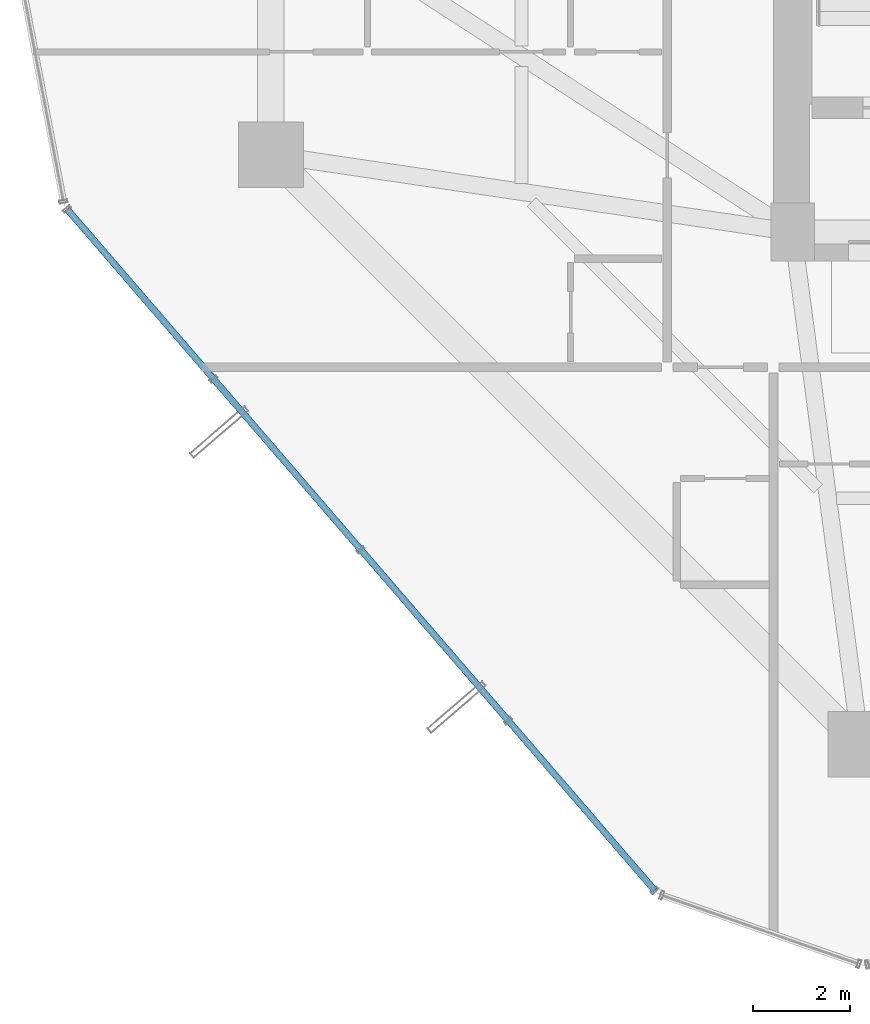
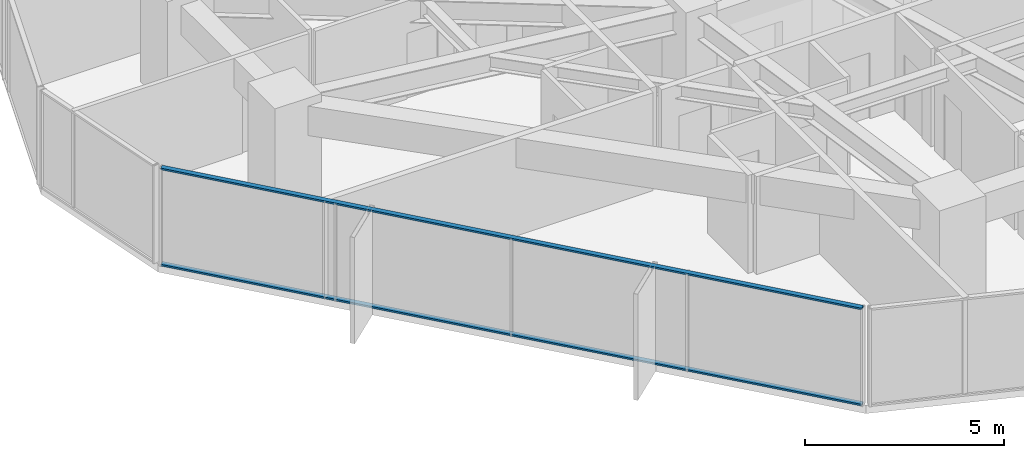
# One storey, part 3 of 38: 2 members, 1 element without a shape of its own.
"""IFC4 building model written with IfcOpenShell, lengths in metres."""

from ifc_helpers import new_model, si_unit, direction, frame, origin, origin_2d, place, context, subcontext, project, spatial, hollow_rectangle, extrude, source, transform, mapped, material, layer, layer_set, material_profile, profile_set, type_object, element, aggregate, save


model = new_model("IFC4")

# Units and contexts
model_context = context("Model", 3, precision=1e-05, world=origin(), true_north=direction((0.0, 1.0)))
body_context = subcontext(model_context, "Body", "Model", "MODEL_VIEW")
ifc_project = project(units=[si_unit("LENGTHUNIT", "METRE"), si_unit("AREAUNIT", "SQUARE_METRE"), si_unit("VOLUMEUNIT", "CUBIC_METRE"), si_unit("PLANEANGLEUNIT", "RADIAN"), si_unit("MASSUNIT", "GRAM", prefix="KILO")], contexts=[model_context])

# Site, building, storey
site_placement = place(None, origin())
site = spatial("IfcSite", under=ifc_project, at=site_placement, CompositionType="ELEMENT")
building_placement = place(site_placement, origin())
building = spatial("IfcBuilding", under=site, at=building_placement, Name="Veraguas Prism Commons", CompositionType="ELEMENT")
storey_placement = place(building_placement, frame((0.0, 0.0, 60.85009765625)))
storey = spatial("IfcBuildingStorey", under=building, at=storey_placement, Name="L16", CompositionType="ELEMENT", Elevation=60.85009765625)

# Curtain wall, members
ifc_material = material(Name="Anodised aluminium EN AW-6063 T6", Category="aluminium")
ifc_layer = layer(ifc_material, 0.169921875, Name="Unitised Flush Curtain Wall Zone 1", Category="aluminium")
ifc_layer_set = layer_set([ifc_layer], Name="Anodised aluminium EN AW-6063 T6")
curtain_wall_type = type_object("IfcCurtainWallType", Name="Unitised Flush Curtain Wall Zone 1", PredefinedType="NOTDEFINED", material=ifc_layer_set)
curtain_wall_placement = place(storey_placement, origin())
curtain_wall = element("IfcCurtainWall", 1, at=curtain_wall_placement, inside=storey, type_object=curtain_wall_type, Name="Tower Facade Curtain Wall L16-F4", PredefinedType="NOTDEFINED")
ifc_material_profile = material_profile(ifc_material, hollow_rectangle(XDim=0.054931640625, YDim=0.135009765625, WallThickness=0.0029296875, at=origin_2d()), Name="AL55X135X3")
ifc_profile_set = profile_set([ifc_material_profile], Name="Anodised aluminium EN AW-6063 T6")
member_type = type_object("IfcMemberType", Name="Curtain Wall Transom Standard AL 55x135x3", PredefinedType="USERDEFINED", material=ifc_profile_set)
shared_shape = source(origin(), body_context, "Body", "SweptSolid", [
    extrude(hollow_rectangle(XDim=0.054931640625, YDim=0.135009765625, WallThickness=0.0029296875, at=origin_2d()), origin(), (0.0, 0.0, 1.0), 18.6240234375),
])
member_1_placement = place(storey_placement, frame((2.17919921875, 17.4755859375, 0.02734375), z_axis=(0.653153533046, -0.757225502918, 0.0), x_axis=(0.0, 0.0, 1.0)))
member_1 = element("IfcMember", 2, at=member_1_placement, type_object=member_type, Name="CW-Z1 Transom 1", ObjectType="TRANSOM", PredefinedType="USERDEFINED", context=body_context, shape_type="MappedRepresentation", body=[
    mapped(shared_shape, transform((0.0, 0.0, 0.0), scale=1.0)),
])
member_2_placement = place(storey_placement, frame((2.17919921875, 17.4755859375, 2.972412109375), z_axis=(0.653153533046, -0.757225502918, 0.0), x_axis=(0.0, 0.0, 1.0)))
member_2 = element("IfcMember", 3, at=member_2_placement, type_object=member_type, Name="CW-Z1 Transom 2", ObjectType="TRANSOM", PredefinedType="USERDEFINED", context=body_context, shape_type="MappedRepresentation", body=[
    mapped(shared_shape, transform((0.0, 0.0, 0.0), scale=1.0)),
])
aggregate(curtain_wall, [member_1, member_2])

save(model, "model.ifc")
